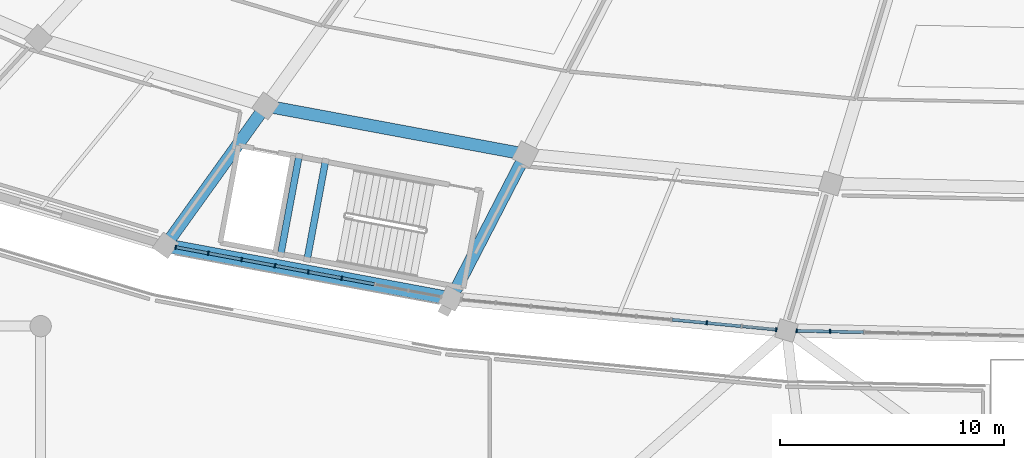
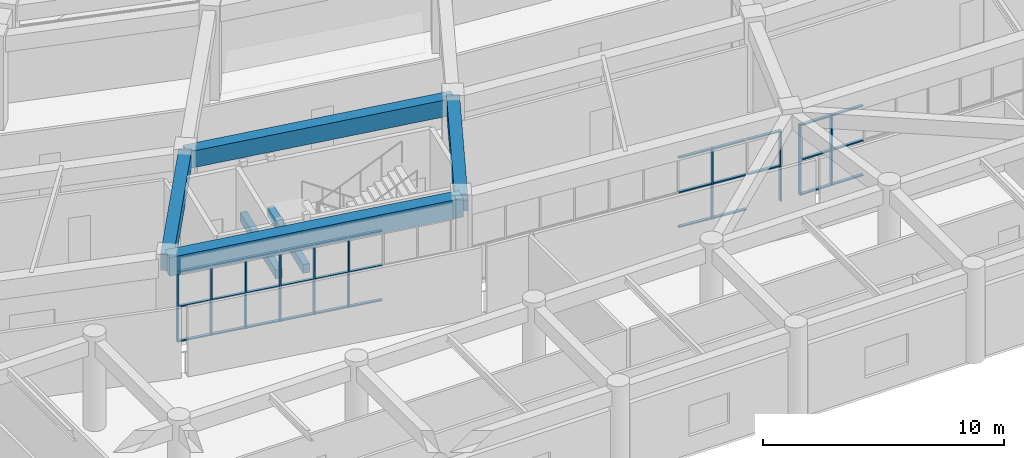
# One storey, part 22 of 152: 42 members, 6 beams, 3 elements without a shape of their own.
"""IFC4 building model written with IfcOpenShell, lengths in metres."""

from ifc_helpers import new_model, si_unit, direction, frame, origin, origin_2d, place, context, subcontext, project, spatial, rectangle, extrude, material, layer, layer_set, material_profile, profile_set, type_object, element, aggregate, save


model = new_model("IFC4")

# Units and contexts
model_context = context("Model", 3, precision=1e-05, world=origin(), true_north=direction((0.0, 1.0)))
body_context = subcontext(model_context, "Body", "Model", "MODEL_VIEW")
ifc_project = project(units=[si_unit("LENGTHUNIT", "METRE"), si_unit("AREAUNIT", "SQUARE_METRE"), si_unit("VOLUMEUNIT", "CUBIC_METRE"), si_unit("PLANEANGLEUNIT", "RADIAN"), si_unit("MASSUNIT", "GRAM", prefix="KILO")], contexts=[model_context])

# Site, building, storey
site_placement = place(None, origin())
site = spatial("IfcSite", under=ifc_project, at=site_placement, CompositionType="ELEMENT")
building_placement = place(site_placement, origin())
building = spatial("IfcBuilding", under=site, at=building_placement, Name="Mphavela Belvedere Stadium", CompositionType="ELEMENT")
storey_placement = place(building_placement, frame((0.0, 0.0, 5.39990234375)))
storey = spatial("IfcBuildingStorey", under=building, at=storey_placement, Name="L01", CompositionType="ELEMENT", Elevation=5.39990234375)

# Beams
ifc_material_1 = material(Name="Concrete C40/50", Category="concrete")
ifc_material_profile_1 = material_profile(ifc_material_1, rectangle(XDim=0.60009765625, YDim=0.949951171875, at=origin_2d()), Name="RC 600x950")
ifc_profile_set_1 = profile_set([ifc_material_profile_1], Name="Concrete C40/50")
beam_type_1 = type_object("IfcBeamType", Name="BM-ENTABLATURE-950", PredefinedType="SPANDREL", material=ifc_profile_set_1)
beam_1_placement = place(storey_placement, frame((65.19873046875, 17.60302734375, 4.0751953125), z_axis=(0.983098571421, -0.183077029882, 0.0), x_axis=(0.183077029882, 0.983098571421, 0.0)))
element("IfcBeam", 1, at=beam_1_placement, inside=storey, type_object=beam_type_1, Name="Circumferential girder L01 R4-34", PredefinedType="SPANDREL", context=body_context, shape_type="SweptSolid", body=[
    extrude(rectangle(XDim=0.60009765625, YDim=0.949951171875, at=origin_2d()), origin(), (0.0, 0.0, 1.0), 12.947265625),
])
ifc_material_2 = material(Name="Concrete C40/50", Category="concrete")
ifc_material_profile_2 = material_profile(ifc_material_2, rectangle(XDim=0.300048828125, YDim=0.449951171875, at=origin_2d()), Name="RC 300x450")
ifc_profile_set_2 = profile_set([ifc_material_profile_2], Name="Concrete C40/50")
beam_type_2 = type_object("IfcBeamType", Name="BM-RC300x450", PredefinedType="BEAM", material=ifc_profile_set_2)
for number, where, z_axis, x_axis, name in (
    (2, (72.329833984375, 21.36865234375, 1.97509765625), (-0.18307487535, -0.983098972645, 0.0), (0.983098972645, -0.18307487535, 0.0), "Core C11 landing trimmer beam L01-1"),
    (3, (71.150146484375, 21.58837890625, 1.97509765625), (-0.18307487535, -0.983098972645, 0.0), (0.983098972645, -0.18307487535, 0.0), "Core C11 landing trimmer beam L01-2"),
):
    element("IfcBeam", number, at=place(storey_placement, frame(where, z_axis=z_axis, x_axis=x_axis)), inside=storey, type_object=beam_type_2, Name=name, PredefinedType="BEAM", context=body_context, shape_type="SweptSolid", body=[
        extrude(rectangle(XDim=0.300048828125, YDim=0.449951171875, at=origin_2d()), origin(), (0.0, 0.0, 1.0), 4.469970703125),
    ])
ifc_material_3 = material(Name="Concrete C40/50", Category="concrete")
ifc_material_profile_3 = material_profile(ifc_material_3, rectangle(XDim=0.550048828125, YDim=0.85009765625, at=origin_2d()), Name="RC 550x850")
ifc_profile_set_3 = profile_set([ifc_material_profile_3], Name="Concrete C40/50")
beam_type_3 = type_object("IfcBeamType", Name="BM-RC550x850", PredefinedType="BEAM", material=ifc_profile_set_3)
beam_2_placement = place(storey_placement, frame((69.662109375, 23.822509765625, 4.125), z_axis=(0.983097725009, -0.18308157494, 0.0), x_axis=(0.18308157494, 0.983097725009, 0.0)))
element("IfcBeam", 4, at=beam_2_placement, inside=storey, type_object=beam_type_3, Name="Circumferential girder L01 R3-34", PredefinedType="BEAM", context=body_context, shape_type="SweptSolid", body=[
    extrude(rectangle(XDim=0.550048828125, YDim=0.85009765625, at=origin_2d()), origin(), (0.0, 0.0, 1.0), 11.786865234375),
])
beam_3_placement = place(storey_placement, frame((69.662109375, 23.822509765625, 4.125), z_axis=(-0.583043812448, -0.812440713385, 0.0), x_axis=(0.812440713385, -0.583043812448, 0.0)))
element("IfcBeam", 5, at=beam_3_placement, inside=storey, type_object=beam_type_3, Name="Radial concourse girder L01 R3R4-34", PredefinedType="BEAM", context=body_context, shape_type="SweptSolid", body=[
    extrude(rectangle(XDim=0.550048828125, YDim=0.85009765625, at=origin_2d()), origin(), (0.0, 0.0, 1.0), 7.6552734375),
])
beam_4_placement = place(storey_placement, frame((81.249755859375, 21.66455078125, 4.125), z_axis=(-0.458951286165, -0.888461432436, 0.0), x_axis=(0.888461432436, -0.458951286165, 0.0)))
element("IfcBeam", 6, at=beam_4_placement, inside=storey, type_object=beam_type_3, Name="Radial concourse girder L01 R3R4-35", PredefinedType="BEAM", context=body_context, shape_type="SweptSolid", body=[
    extrude(rectangle(XDim=0.550048828125, YDim=0.85009765625, at=origin_2d()), origin(), (0.0, 0.0, 1.0), 7.2392578125),
])

# Curtain wall, members
ifc_material_4 = material(Name="Anodised bronze unitised curtain wall framing")
ifc_layer_1 = layer(ifc_material_4, 0.18505859375)
ifc_layer_set_1 = layer_set([ifc_layer_1], Name="Anodised bronze unitised curtain wall framing")
curtain_wall_type_1 = type_object("IfcCurtainWallType", Name="CW-UNIT-02", PredefinedType="USERDEFINED", material=ifc_layer_set_1)
curtain_wall_1_placement = place(storey_placement, origin())
curtain_wall_1 = element("IfcCurtainWall", 7, at=curtain_wall_1_placement, inside=storey, type_object=curtain_wall_type_1, Name="Belvedere colonnade curtain wall L01-34", ObjectType="UNITISED CURTAIN WALL", PredefinedType="USERDEFINED")
ifc_material_5 = material(Name="Anodised bronze extruded aluminium", Category="aluminium")
ifc_material_profile_4 = material_profile(ifc_material_5, rectangle(XDim=0.179931640625, YDim=0.06494140625, at=origin_2d()), Name="CW-MUL 180x65")
ifc_profile_set_4 = profile_set([ifc_material_profile_4], Name="Anodised bronze extruded aluminium")
member_type_1 = type_object("IfcMemberType", Name="CWM-180x65", PredefinedType="MULLION", material=ifc_profile_set_4)
member_1_placement = place(storey_placement, frame((65.646484375, 17.519775390625, 0.0), z_axis=(0.0, 0.0, 1.0), x_axis=(0.18309495886, 0.983095232437, 0.0)))
member_1 = element("IfcMember", 8, at=member_1_placement, type_object=member_type_1, Name="CW-02 mullion 1", PredefinedType="MULLION", context=body_context, shape_type="SweptSolid", body=[
    extrude(rectangle(XDim=0.179931640625, YDim=0.06494140625, at=origin_2d()), origin(), (0.0, 0.0, 1.0), 3.570068359375),
])
member_2_placement = place(storey_placement, frame((67.101806640625, 17.248779296875, 0.0), z_axis=(0.0, 0.0, 1.0), x_axis=(0.18309495886, 0.983095232437, 0.0)))
member_2 = element("IfcMember", 9, at=member_2_placement, type_object=member_type_1, Name="CW-02 mullion 2", PredefinedType="MULLION", context=body_context, shape_type="SweptSolid", body=[
    extrude(rectangle(XDim=0.179931640625, YDim=0.06494140625, at=origin_2d()), origin(), (0.0, 0.0, 1.0), 3.570068359375),
])
member_3_placement = place(storey_placement, frame((68.5888671875, 16.9716796875, 0.0), z_axis=(0.0, 0.0, 1.0), x_axis=(0.18309495886, 0.983095232437, 0.0)))
member_3 = element("IfcMember", 10, at=member_3_placement, type_object=member_type_1, Name="CW-02 mullion 3", PredefinedType="MULLION", context=body_context, shape_type="SweptSolid", body=[
    extrude(rectangle(XDim=0.179931640625, YDim=0.06494140625, at=origin_2d()), origin(), (0.0, 0.0, 1.0), 3.570068359375),
])
member_4_placement = place(storey_placement, frame((70.075927734375, 16.69482421875, 0.0), z_axis=(0.0, 0.0, 1.0), x_axis=(0.18309495886, 0.983095232437, 0.0)))
member_4 = element("IfcMember", 11, at=member_4_placement, type_object=member_type_1, Name="CW-02 mullion 4", PredefinedType="MULLION", context=body_context, shape_type="SweptSolid", body=[
    extrude(rectangle(XDim=0.179931640625, YDim=0.06494140625, at=origin_2d()), origin(), (0.0, 0.0, 1.0), 3.570068359375),
])
member_5_placement = place(storey_placement, frame((71.56298828125, 16.41796875, 0.0), z_axis=(0.0, 0.0, 1.0), x_axis=(0.18309495886, 0.983095232437, 0.0)))
member_5 = element("IfcMember", 12, at=member_5_placement, type_object=member_type_1, Name="CW-02 mullion 5", PredefinedType="MULLION", context=body_context, shape_type="SweptSolid", body=[
    extrude(rectangle(XDim=0.179931640625, YDim=0.06494140625, at=origin_2d()), origin(), (0.0, 0.0, 1.0), 3.570068359375),
])
member_6_placement = place(storey_placement, frame((73.050048828125, 16.140869140625, 0.0), z_axis=(0.0, 0.0, 1.0), x_axis=(0.18309495886, 0.983095232437, 0.0)))
member_6 = element("IfcMember", 13, at=member_6_placement, type_object=member_type_1, Name="CW-02 mullion 6", PredefinedType="MULLION", context=body_context, shape_type="SweptSolid", body=[
    extrude(rectangle(XDim=0.179931640625, YDim=0.06494140625, at=origin_2d()), origin(), (0.0, 0.0, 1.0), 3.570068359375),
])

ifc_material_6 = material(Name="Anodised bronze unitised curtain wall framing")
ifc_layer_2 = layer(ifc_material_6, 0.18994140625)
ifc_layer_set_2 = layer_set([ifc_layer_2], Name="Anodised bronze unitised curtain wall framing")
curtain_wall_type_2 = type_object("IfcCurtainWallType", Name="CW-UNIT-03", PredefinedType="USERDEFINED", material=ifc_layer_set_2)
curtain_wall_2_placement = place(storey_placement, origin())
curtain_wall_2 = element("IfcCurtainWall", 14, at=curtain_wall_2_placement, inside=storey, type_object=curtain_wall_type_2, Name="Belvedere colonnade curtain wall L01-35", ObjectType="UNITISED CURTAIN WALL", PredefinedType="USERDEFINED")
member_7_placement = place(storey_placement, frame((89.327392578125, 14.1455078125, 0.0), z_axis=(0.0, 0.0, 1.0), x_axis=(0.094922243726, 0.99548468981, 0.0)))
member_7 = element("IfcMember", 15, at=member_7_placement, type_object=member_type_1, Name="CW-03 mullion 8", PredefinedType="MULLION", context=body_context, shape_type="SweptSolid", body=[
    extrude(rectangle(XDim=0.179931640625, YDim=0.06494140625, at=origin_2d()), origin(), (0.0, 0.0, 1.0), 3.570068359375),
])
member_8_placement = place(storey_placement, frame((92.431884765625, 13.849365234375, 0.0), z_axis=(0.0, 0.0, 1.0), x_axis=(0.094922243726, 0.99548468981, 0.0)))
member_8 = element("IfcMember", 16, at=member_8_placement, type_object=member_type_1, Name="CW-03 mullion 10", PredefinedType="MULLION", context=body_context, shape_type="SweptSolid", body=[
    extrude(rectangle(XDim=0.179931640625, YDim=0.06494140625, at=origin_2d()), origin(), (0.0, 0.0, 1.0), 3.570068359375),
])

ifc_material_7 = material(Name="Anodised bronze unitised curtain wall framing")
ifc_layer_3 = layer(ifc_material_7, 0.195068359375)
ifc_layer_set_3 = layer_set([ifc_layer_3], Name="Anodised bronze unitised curtain wall framing")
curtain_wall_type_3 = type_object("IfcCurtainWallType", Name="CW-UNIT-04", PredefinedType="USERDEFINED", material=ifc_layer_set_3)
curtain_wall_3_placement = place(storey_placement, origin())
curtain_wall_3 = element("IfcCurtainWall", 17, at=curtain_wall_3_placement, inside=storey, type_object=curtain_wall_type_3, Name="Belvedere colonnade curtain wall L01-36", ObjectType="UNITISED CURTAIN WALL", PredefinedType="USERDEFINED")
member_9_placement = place(storey_placement, frame((93.3408203125, 13.79638671875, 0.0), z_axis=(0.0, 0.0, 1.0), x_axis=(0.021528899038, 0.999768226394, 0.0)))
member_9 = element("IfcMember", 18, at=member_9_placement, type_object=member_type_1, Name="CW-04 mullion 1", PredefinedType="MULLION", context=body_context, shape_type="SweptSolid", body=[
    extrude(rectangle(XDim=0.179931640625, YDim=0.06494140625, at=origin_2d()), origin(), (0.0, 0.0, 1.0), 3.570068359375),
])
member_10_placement = place(storey_placement, frame((94.827392578125, 13.764404296875, 0.0), z_axis=(0.0, 0.0, 1.0), x_axis=(0.021528899038, 0.999768226394, 0.0)))
member_10 = element("IfcMember", 19, at=member_10_placement, type_object=member_type_1, Name="CW-04 mullion 2", PredefinedType="MULLION", context=body_context, shape_type="SweptSolid", body=[
    extrude(rectangle(XDim=0.179931640625, YDim=0.06494140625, at=origin_2d()), origin(), (0.0, 0.0, 1.0), 3.570068359375),
])

# Member
ifc_material_8 = material(Name="Anodised bronze extruded aluminium", Category="aluminium")
ifc_material_profile_5 = material_profile(ifc_material_8, rectangle(XDim=0.139892578125, YDim=0.06005859375, at=origin_2d()), Name="CW-TRN 140x60")
ifc_profile_set_5 = profile_set([ifc_material_profile_5], Name="Anodised bronze extruded aluminium")
member_type_2 = type_object("IfcMemberType", Name="CWT-140x60", PredefinedType="USERDEFINED", material=ifc_profile_set_5)
member_11_placement = place(storey_placement, frame((65.678466796875, 17.513916015625, 0.030029296875), z_axis=(0.983076625538, -0.183194837045, 0.0), x_axis=(0.183194837045, 0.983076625538, 0.0)))
member_11 = element("IfcMember", 20, at=member_11_placement, type_object=member_type_2, Name="CW-02 transom 1.1", ObjectType="TRANSOM", PredefinedType="USERDEFINED", context=body_context, shape_type="SweptSolid", body=[
    extrude(rectangle(XDim=0.139892578125, YDim=0.06005859375, at=origin_2d()), origin(), (0.0, 0.0, 1.0), 1.415283203125),
])

member_12_placement = place(storey_placement, frame((65.678466796875, 17.513916015625, 1.78515625), z_axis=(0.983076625538, -0.183194837045, 0.0), x_axis=(0.183194837045, 0.983076625538, 0.0)))
member_12 = element("IfcMember", 21, at=member_12_placement, type_object=member_type_2, Name="CW-02 transom 1.2", ObjectType="TRANSOM", PredefinedType="USERDEFINED", context=body_context, shape_type="SweptSolid", body=[
    extrude(rectangle(XDim=0.139892578125, YDim=0.06005859375, at=origin_2d()), origin(), (0.0, 0.0, 1.0), 1.415283203125),
])

member_13_placement = place(storey_placement, frame((65.678466796875, 17.513916015625, 3.5400390625), z_axis=(0.983076625538, -0.183194837045, 0.0), x_axis=(0.183194837045, 0.983076625538, 0.0)))
member_13 = element("IfcMember", 22, at=member_13_placement, type_object=member_type_2, Name="CW-02 transom 1.3", ObjectType="TRANSOM", PredefinedType="USERDEFINED", context=body_context, shape_type="SweptSolid", body=[
    extrude(rectangle(XDim=0.139892578125, YDim=0.06005859375, at=origin_2d()), origin(), (0.0, 0.0, 1.0), 1.415283203125),
])

member_14_placement = place(storey_placement, frame((67.133544921875, 17.24267578125, 0.030029296875), z_axis=(0.983119469828, -0.182964772687, 0.0), x_axis=(0.182964772687, 0.983119469828, 0.0)))
member_14 = element("IfcMember", 23, at=member_14_placement, type_object=member_type_2, Name="CW-02 transom 2.1", ObjectType="TRANSOM", PredefinedType="USERDEFINED", context=body_context, shape_type="SweptSolid", body=[
    extrude(rectangle(XDim=0.139892578125, YDim=0.06005859375, at=origin_2d()), origin(), (0.0, 0.0, 1.0), 1.44775390625),
])

member_15_placement = place(storey_placement, frame((67.133544921875, 17.24267578125, 1.78515625), z_axis=(0.983119469828, -0.182964772687, 0.0), x_axis=(0.182964772687, 0.983119469828, 0.0)))
member_15 = element("IfcMember", 24, at=member_15_placement, type_object=member_type_2, Name="CW-02 transom 2.2", ObjectType="TRANSOM", PredefinedType="USERDEFINED", context=body_context, shape_type="SweptSolid", body=[
    extrude(rectangle(XDim=0.139892578125, YDim=0.06005859375, at=origin_2d()), origin(), (0.0, 0.0, 1.0), 1.44775390625),
])

member_16_placement = place(storey_placement, frame((67.133544921875, 17.24267578125, 3.5400390625), z_axis=(0.983119469828, -0.182964772687, 0.0), x_axis=(0.182964772687, 0.983119469828, 0.0)))
member_16 = element("IfcMember", 25, at=member_16_placement, type_object=member_type_2, Name="CW-02 transom 2.3", ObjectType="TRANSOM", PredefinedType="USERDEFINED", context=body_context, shape_type="SweptSolid", body=[
    extrude(rectangle(XDim=0.139892578125, YDim=0.06005859375, at=origin_2d()), origin(), (0.0, 0.0, 1.0), 1.44775390625),
])

member_17_placement = place(storey_placement, frame((68.620849609375, 16.9658203125, 0.030029296875), z_axis=(0.983083468117, -0.183158113977, 0.0), x_axis=(0.183158113977, 0.983083468117, 0.0)))
member_17 = element("IfcMember", 26, at=member_17_placement, type_object=member_type_2, Name="CW-02 transom 3.1", ObjectType="TRANSOM", PredefinedType="USERDEFINED", context=body_context, shape_type="SweptSolid", body=[
    extrude(rectangle(XDim=0.139892578125, YDim=0.06005859375, at=origin_2d()), origin(), (0.0, 0.0, 1.0), 1.447509765625),
])

member_18_placement = place(storey_placement, frame((68.620849609375, 16.9658203125, 1.78515625), z_axis=(0.983083468117, -0.183158113977, 0.0), x_axis=(0.183158113977, 0.983083468117, 0.0)))
member_18 = element("IfcMember", 27, at=member_18_placement, type_object=member_type_2, Name="CW-02 transom 3.2", ObjectType="TRANSOM", PredefinedType="USERDEFINED", context=body_context, shape_type="SweptSolid", body=[
    extrude(rectangle(XDim=0.139892578125, YDim=0.06005859375, at=origin_2d()), origin(), (0.0, 0.0, 1.0), 1.447509765625),
])

member_19_placement = place(storey_placement, frame((68.620849609375, 16.9658203125, 3.5400390625), z_axis=(0.983083468117, -0.183158113977, 0.0), x_axis=(0.183158113977, 0.983083468117, 0.0)))
member_19 = element("IfcMember", 28, at=member_19_placement, type_object=member_type_2, Name="CW-02 transom 3.3", ObjectType="TRANSOM", PredefinedType="USERDEFINED", context=body_context, shape_type="SweptSolid", body=[
    extrude(rectangle(XDim=0.139892578125, YDim=0.06005859375, at=origin_2d()), origin(), (0.0, 0.0, 1.0), 1.447509765625),
])

member_20_placement = place(storey_placement, frame((70.10791015625, 16.68896484375, 0.030029296875), z_axis=(0.983083468117, -0.183158113977, 0.0), x_axis=(0.183158113977, 0.983083468117, 0.0)))
member_20 = element("IfcMember", 29, at=member_20_placement, type_object=member_type_2, Name="CW-02 transom 4.1", ObjectType="TRANSOM", PredefinedType="USERDEFINED", context=body_context, shape_type="SweptSolid", body=[
    extrude(rectangle(XDim=0.139892578125, YDim=0.06005859375, at=origin_2d()), origin(), (0.0, 0.0, 1.0), 1.447509765625),
])

member_21_placement = place(storey_placement, frame((70.10791015625, 16.68896484375, 1.78515625), z_axis=(0.983083468117, -0.183158113977, 0.0), x_axis=(0.183158113977, 0.983083468117, 0.0)))
member_21 = element("IfcMember", 30, at=member_21_placement, type_object=member_type_2, Name="CW-02 transom 4.2", ObjectType="TRANSOM", PredefinedType="USERDEFINED", context=body_context, shape_type="SweptSolid", body=[
    extrude(rectangle(XDim=0.139892578125, YDim=0.06005859375, at=origin_2d()), origin(), (0.0, 0.0, 1.0), 1.447509765625),
])

member_22_placement = place(storey_placement, frame((70.10791015625, 16.68896484375, 3.5400390625), z_axis=(0.983083468117, -0.183158113977, 0.0), x_axis=(0.183158113977, 0.983083468117, 0.0)))
member_22 = element("IfcMember", 31, at=member_22_placement, type_object=member_type_2, Name="CW-02 transom 4.3", ObjectType="TRANSOM", PredefinedType="USERDEFINED", context=body_context, shape_type="SweptSolid", body=[
    extrude(rectangle(XDim=0.139892578125, YDim=0.06005859375, at=origin_2d()), origin(), (0.0, 0.0, 1.0), 1.447509765625),
])

member_23_placement = place(storey_placement, frame((71.594970703125, 16.411865234375, 0.030029296875), z_axis=(0.983083468117, -0.183158113977, 0.0), x_axis=(0.183158113977, 0.983083468117, 0.0)))
member_23 = element("IfcMember", 32, at=member_23_placement, type_object=member_type_2, Name="CW-02 transom 5.1", ObjectType="TRANSOM", PredefinedType="USERDEFINED", context=body_context, shape_type="SweptSolid", body=[
    extrude(rectangle(XDim=0.139892578125, YDim=0.06005859375, at=origin_2d()), origin(), (0.0, 0.0, 1.0), 1.447509765625),
])

member_24_placement = place(storey_placement, frame((71.594970703125, 16.411865234375, 1.78515625), z_axis=(0.983083468117, -0.183158113977, 0.0), x_axis=(0.183158113977, 0.983083468117, 0.0)))
member_24 = element("IfcMember", 33, at=member_24_placement, type_object=member_type_2, Name="CW-02 transom 5.2", ObjectType="TRANSOM", PredefinedType="USERDEFINED", context=body_context, shape_type="SweptSolid", body=[
    extrude(rectangle(XDim=0.139892578125, YDim=0.06005859375, at=origin_2d()), origin(), (0.0, 0.0, 1.0), 1.447509765625),
])

member_25_placement = place(storey_placement, frame((71.594970703125, 16.411865234375, 3.5400390625), z_axis=(0.983083468117, -0.183158113977, 0.0), x_axis=(0.183158113977, 0.983083468117, 0.0)))
member_25 = element("IfcMember", 34, at=member_25_placement, type_object=member_type_2, Name="CW-02 transom 5.3", ObjectType="TRANSOM", PredefinedType="USERDEFINED", context=body_context, shape_type="SweptSolid", body=[
    extrude(rectangle(XDim=0.139892578125, YDim=0.06005859375, at=origin_2d()), origin(), (0.0, 0.0, 1.0), 1.447509765625),
])

member_26_placement = place(storey_placement, frame((73.08203125, 16.135009765625, 0.030029296875), z_axis=(0.983089124524, -0.183127751155, 0.0), x_axis=(0.183127751155, 0.983089124524, 0.0)))
member_26 = element("IfcMember", 35, at=member_26_placement, type_object=member_type_2, Name="CW-02 transom 6.1", ObjectType="TRANSOM", PredefinedType="USERDEFINED", context=body_context, shape_type="SweptSolid", body=[
    extrude(rectangle(XDim=0.139892578125, YDim=0.06005859375, at=origin_2d()), origin(), (0.0, 0.0, 1.0), 1.44775390625),
])

member_27_placement = place(storey_placement, frame((73.08203125, 16.135009765625, 1.78515625), z_axis=(0.983089124524, -0.183127751155, 0.0), x_axis=(0.183127751155, 0.983089124524, 0.0)))
member_27 = element("IfcMember", 36, at=member_27_placement, type_object=member_type_2, Name="CW-02 transom 6.2", ObjectType="TRANSOM", PredefinedType="USERDEFINED", context=body_context, shape_type="SweptSolid", body=[
    extrude(rectangle(XDim=0.139892578125, YDim=0.06005859375, at=origin_2d()), origin(), (0.0, 0.0, 1.0), 1.44775390625),
])

member_28_placement = place(storey_placement, frame((73.08203125, 16.135009765625, 3.5400390625), z_axis=(0.983089124524, -0.183127751155, 0.0), x_axis=(0.183127751155, 0.983089124524, 0.0)))
member_28 = element("IfcMember", 37, at=member_28_placement, type_object=member_type_2, Name="CW-02 transom 6.3", ObjectType="TRANSOM", PredefinedType="USERDEFINED", context=body_context, shape_type="SweptSolid", body=[
    extrude(rectangle(XDim=0.139892578125, YDim=0.06005859375, at=origin_2d()), origin(), (0.0, 0.0, 1.0), 1.44775390625),
])

aggregate(curtain_wall_1, [member_1, member_2, member_3, member_4, member_5, member_6, member_11, member_12, member_13, member_14, member_15, member_16, member_17, member_18, member_19, member_20, member_21, member_22, member_23, member_24, member_25, member_26, member_27, member_28])

member_29_placement = place(storey_placement, frame((87.791259765625, 14.2919921875, 0.030029296875), z_axis=(0.995490386942, -0.094862476808, 0.0), x_axis=(0.094862476808, 0.995490386942, 0.0)))
member_29 = element("IfcMember", 38, at=member_29_placement, type_object=member_type_2, Name="CW-03 transom 7.1", ObjectType="TRANSOM", PredefinedType="USERDEFINED", context=body_context, shape_type="SweptSolid", body=[
    extrude(rectangle(XDim=0.139892578125, YDim=0.06005859375, at=origin_2d()), origin(), (0.0, 0.0, 1.0), 1.5107421875),
])

member_30_placement = place(storey_placement, frame((87.791259765625, 14.2919921875, 1.78515625), z_axis=(0.995490386942, -0.094862476808, 0.0), x_axis=(0.094862476808, 0.995490386942, 0.0)))
member_30 = element("IfcMember", 39, at=member_30_placement, type_object=member_type_2, Name="CW-03 transom 7.2", ObjectType="TRANSOM", PredefinedType="USERDEFINED", context=body_context, shape_type="SweptSolid", body=[
    extrude(rectangle(XDim=0.139892578125, YDim=0.06005859375, at=origin_2d()), origin(), (0.0, 0.0, 1.0), 1.5107421875),
])

member_31_placement = place(storey_placement, frame((87.791259765625, 14.2919921875, 3.5400390625), z_axis=(0.995490386942, -0.094862476808, 0.0), x_axis=(0.094862476808, 0.995490386942, 0.0)))
member_31 = element("IfcMember", 40, at=member_31_placement, type_object=member_type_2, Name="CW-03 transom 7.3", ObjectType="TRANSOM", PredefinedType="USERDEFINED", context=body_context, shape_type="SweptSolid", body=[
    extrude(rectangle(XDim=0.139892578125, YDim=0.06005859375, at=origin_2d()), origin(), (0.0, 0.0, 1.0), 1.5107421875),
])

member_32_placement = place(storey_placement, frame((89.35986328125, 14.142333984375, 0.030029296875), z_axis=(0.99548893232, -0.094877740424, 0.0), x_axis=(0.094877740424, 0.99548893232, 0.0)))
member_32 = element("IfcMember", 41, at=member_32_placement, type_object=member_type_2, Name="CW-03 transom 8.1", ObjectType="TRANSOM", PredefinedType="USERDEFINED", context=body_context, shape_type="SweptSolid", body=[
    extrude(rectangle(XDim=0.139892578125, YDim=0.06005859375, at=origin_2d()), origin(), (0.0, 0.0, 1.0), 1.510498046875),
])

member_33_placement = place(storey_placement, frame((89.35986328125, 14.142333984375, 1.78515625), z_axis=(0.99548893232, -0.094877740424, 0.0), x_axis=(0.094877740424, 0.99548893232, 0.0)))
member_33 = element("IfcMember", 42, at=member_33_placement, type_object=member_type_2, Name="CW-03 transom 8.2", ObjectType="TRANSOM", PredefinedType="USERDEFINED", context=body_context, shape_type="SweptSolid", body=[
    extrude(rectangle(XDim=0.139892578125, YDim=0.06005859375, at=origin_2d()), origin(), (0.0, 0.0, 1.0), 1.510498046875),
])

member_34_placement = place(storey_placement, frame((89.35986328125, 14.142333984375, 3.5400390625), z_axis=(0.99548893232, -0.094877740424, 0.0), x_axis=(0.094877740424, 0.99548893232, 0.0)))
member_34 = element("IfcMember", 43, at=member_34_placement, type_object=member_type_2, Name="CW-03 transom 8.3", ObjectType="TRANSOM", PredefinedType="USERDEFINED", context=body_context, shape_type="SweptSolid", body=[
    extrude(rectangle(XDim=0.139892578125, YDim=0.06005859375, at=origin_2d()), origin(), (0.0, 0.0, 1.0), 1.510498046875),
])

member_35_placement = place(storey_placement, frame((90.92822265625, 13.992919921875, 1.78515625), z_axis=(0.995479870054, -0.094972776718, 0.0), x_axis=(0.094972776718, 0.995479870054, 0.0)))
member_35 = element("IfcMember", 44, at=member_35_placement, type_object=member_type_2, Name="CW-03 transom 9.2", ObjectType="TRANSOM", PredefinedType="USERDEFINED", context=body_context, shape_type="SweptSolid", body=[
    extrude(rectangle(XDim=0.139892578125, YDim=0.06005859375, at=origin_2d()), origin(), (0.0, 0.0, 1.0), 1.47802734375),
])

member_36_placement = place(storey_placement, frame((90.92822265625, 13.992919921875, 3.5400390625), z_axis=(0.995479870054, -0.094972776718, 0.0), x_axis=(0.094972776718, 0.995479870054, 0.0)))
member_36 = element("IfcMember", 45, at=member_36_placement, type_object=member_type_2, Name="CW-03 transom 9.3", ObjectType="TRANSOM", PredefinedType="USERDEFINED", context=body_context, shape_type="SweptSolid", body=[
    extrude(rectangle(XDim=0.139892578125, YDim=0.06005859375, at=origin_2d()), origin(), (0.0, 0.0, 1.0), 1.47802734375),
])

aggregate(curtain_wall_2, [member_7, member_8, member_29, member_30, member_31, member_32, member_33, member_34, member_35, member_36])

member_37_placement = place(storey_placement, frame((93.373291015625, 13.795654296875, 0.030029296875), z_axis=(0.999769672187, -0.021461653619, 0.0), x_axis=(0.021461653619, 0.999769672187, 0.0)))
member_37 = element("IfcMember", 46, at=member_37_placement, type_object=member_type_2, Name="CW-04 transom 1.1", ObjectType="TRANSOM", PredefinedType="USERDEFINED", context=body_context, shape_type="SweptSolid", body=[
    extrude(rectangle(XDim=0.139892578125, YDim=0.06005859375, at=origin_2d()), origin(), (0.0, 0.0, 1.0), 1.421875),
])

member_38_placement = place(storey_placement, frame((93.373291015625, 13.795654296875, 1.78515625), z_axis=(0.999769672187, -0.021461653619, 0.0), x_axis=(0.021461653619, 0.999769672187, 0.0)))
member_38 = element("IfcMember", 47, at=member_38_placement, type_object=member_type_2, Name="CW-04 transom 1.2", ObjectType="TRANSOM", PredefinedType="USERDEFINED", context=body_context, shape_type="SweptSolid", body=[
    extrude(rectangle(XDim=0.139892578125, YDim=0.06005859375, at=origin_2d()), origin(), (0.0, 0.0, 1.0), 1.421875),
])

member_39_placement = place(storey_placement, frame((93.373291015625, 13.795654296875, 3.5400390625), z_axis=(0.999769672187, -0.021461653619, 0.0), x_axis=(0.021461653619, 0.999769672187, 0.0)))
member_39 = element("IfcMember", 48, at=member_39_placement, type_object=member_type_2, Name="CW-04 transom 1.3", ObjectType="TRANSOM", PredefinedType="USERDEFINED", context=body_context, shape_type="SweptSolid", body=[
    extrude(rectangle(XDim=0.139892578125, YDim=0.06005859375, at=origin_2d()), origin(), (0.0, 0.0, 1.0), 1.421875),
])

member_40_placement = place(storey_placement, frame((94.860107421875, 13.763671875, 0.030029296875), z_axis=(0.999769149851, -0.021485972327, 0.0), x_axis=(0.021485972327, 0.999769149851, 0.0)))
member_40 = element("IfcMember", 49, at=member_40_placement, type_object=member_type_2, Name="CW-04 transom 2.1", ObjectType="TRANSOM", PredefinedType="USERDEFINED", context=body_context, shape_type="SweptSolid", body=[
    extrude(rectangle(XDim=0.139892578125, YDim=0.06005859375, at=origin_2d()), origin(), (0.0, 0.0, 1.0), 1.454345703125),
])

member_41_placement = place(storey_placement, frame((94.860107421875, 13.763671875, 1.78515625), z_axis=(0.999769149851, -0.021485972327, 0.0), x_axis=(0.021485972327, 0.999769149851, 0.0)))
member_41 = element("IfcMember", 50, at=member_41_placement, type_object=member_type_2, Name="CW-04 transom 2.2", ObjectType="TRANSOM", PredefinedType="USERDEFINED", context=body_context, shape_type="SweptSolid", body=[
    extrude(rectangle(XDim=0.139892578125, YDim=0.06005859375, at=origin_2d()), origin(), (0.0, 0.0, 1.0), 1.454345703125),
])

member_42_placement = place(storey_placement, frame((94.860107421875, 13.763671875, 3.5400390625), z_axis=(0.999769149851, -0.021485972327, 0.0), x_axis=(0.021485972327, 0.999769149851, 0.0)))
member_42 = element("IfcMember", 51, at=member_42_placement, type_object=member_type_2, Name="CW-04 transom 2.3", ObjectType="TRANSOM", PredefinedType="USERDEFINED", context=body_context, shape_type="SweptSolid", body=[
    extrude(rectangle(XDim=0.139892578125, YDim=0.06005859375, at=origin_2d()), origin(), (0.0, 0.0, 1.0), 1.454345703125),
])

aggregate(curtain_wall_3, [member_9, member_10, member_37, member_38, member_39, member_40, member_41, member_42])

save(model, "model.ifc")
